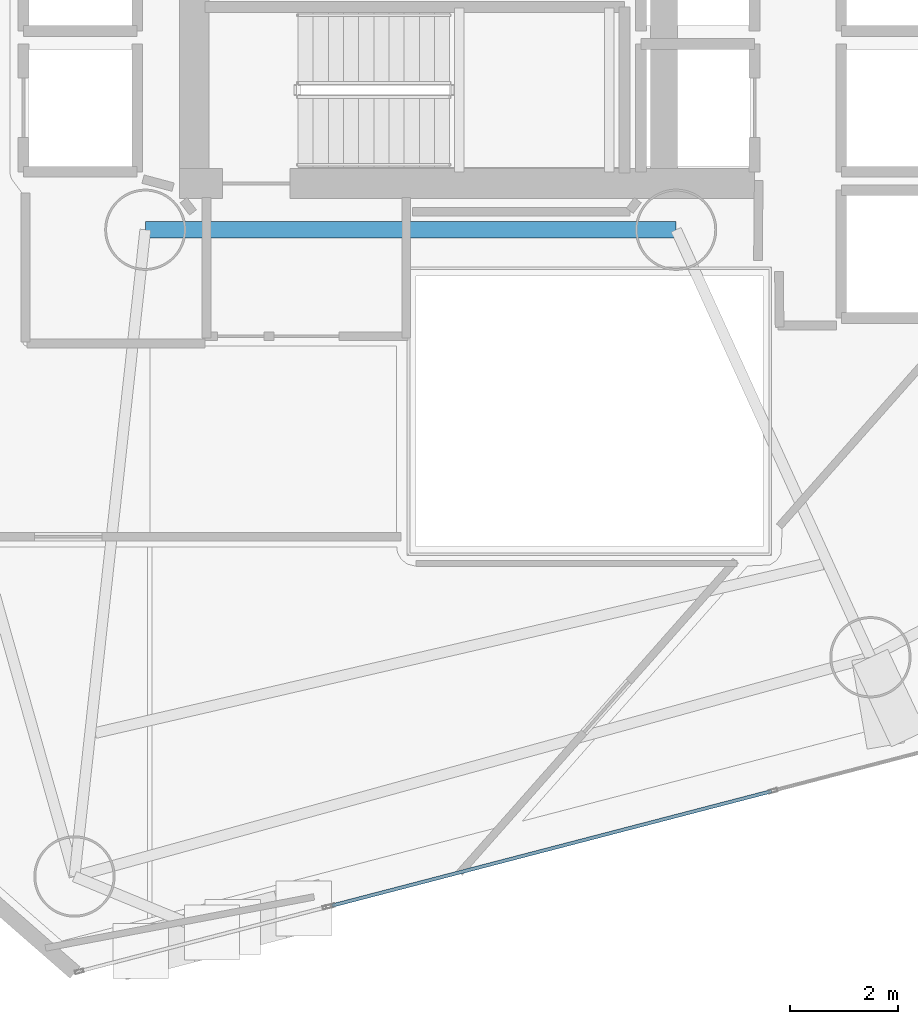
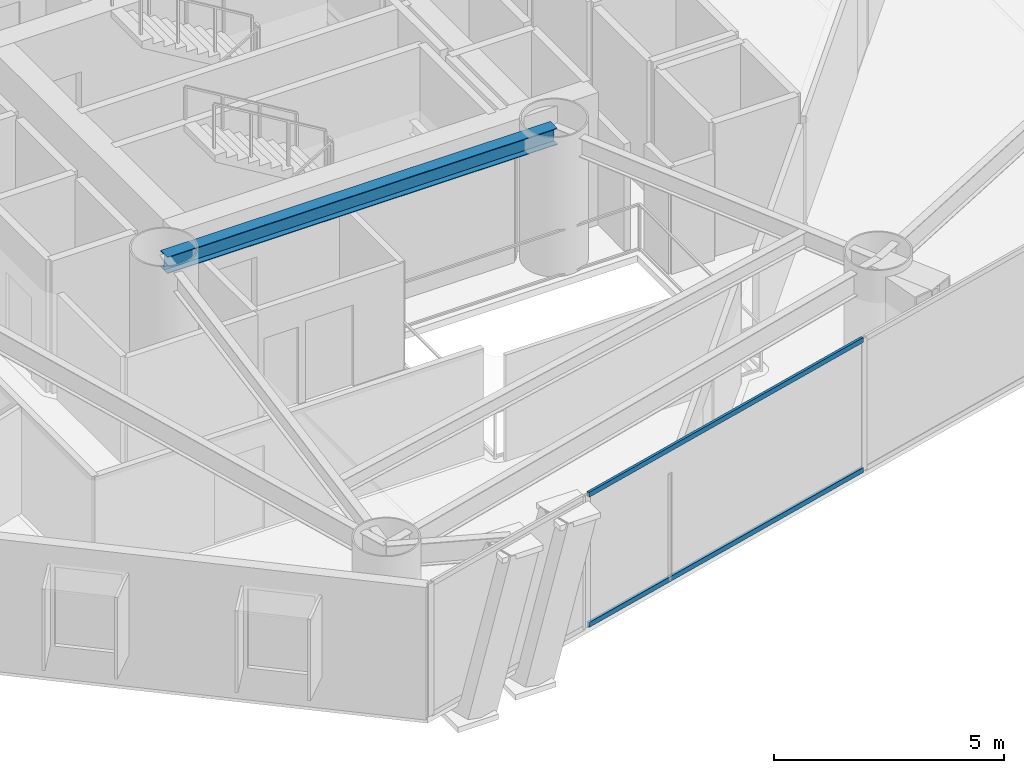
# One storey, part 5 of 21: 2 members, 1 beam, 1 element without a shape of its own.
"""IFC4 building model written with IfcOpenShell, lengths in metres."""

from ifc_helpers import new_model, si_unit, direction, frame, origin, origin_2d, place, context, subcontext, project, spatial, hollow_rectangle, i_section, extrude, material, layer, layer_set, material_profile, profile_set, type_object, element, aggregate, save


model = new_model("IFC4")

# Units and contexts
model_context = context("Model", 3, precision=1e-05, world=origin(), true_north=direction((0.0, 1.0)))
body_context = subcontext(model_context, "Body", "Model", "MODEL_VIEW")
ifc_project = project(units=[si_unit("LENGTHUNIT", "METRE"), si_unit("AREAUNIT", "SQUARE_METRE"), si_unit("VOLUMEUNIT", "CUBIC_METRE"), si_unit("PLANEANGLEUNIT", "RADIAN"), si_unit("MASSUNIT", "GRAM", prefix="KILO")], contexts=[model_context])

# Site, building, storey
site_placement = place(None, origin())
site = spatial("IfcSite", under=ifc_project, at=site_placement, CompositionType="ELEMENT")
building_placement = place(site_placement, origin())
building = spatial("IfcBuilding", under=site, at=building_placement, Name="Qianvela Tower", CompositionType="ELEMENT")
storey_placement = place(building_placement, frame((0.0, 0.0, 112.60009765625)))
storey = spatial("IfcBuildingStorey", under=building, at=storey_placement, Name="L28", CompositionType="ELEMENT", Elevation=112.60009765625)

# Beam
ifc_material_1 = material(Name="Steel Q355B", Category="steel")
ifc_material_profile_1 = material_profile(ifc_material_1, i_section(OverallWidth=0.300048828125, OverallDepth=0.43994140625, WebThickness=0.010986328125, FlangeThickness=0.01806640625, at=origin_2d()), Name="HM440x300x11x18")
ifc_profile_set_1 = profile_set([ifc_material_profile_1], Name="Steel Q355B")
beam_type = type_object("IfcBeamType", Name="BM-HM440-COLL", PredefinedType="BEAM", material=ifc_profile_set_1)
beam_placement = place(storey_placement, frame((28.60009765625, 23.85009765625, 3.2978515625), z_axis=(1.0, 0.0, 0.0), x_axis=(0.0, 1.0, 0.0)))
element("IfcBeam", 1, at=beam_placement, inside=storey, type_object=beam_type, Name="L28 Core Ring Collector Girder CC1", PredefinedType="BEAM", context=body_context, shape_type="SweptSolid", body=[
    extrude(i_section(OverallWidth=0.300048828125, OverallDepth=0.43994140625, WebThickness=0.010986328125, FlangeThickness=0.01806640625, at=origin_2d()), origin(), (0.0, 0.0, 1.0), 9.7998046875),
])

# Curtain wall, members
ifc_material_2 = material(Name="Anodised Architectural Aluminium and Low-E Glass", Category="aluminium")
ifc_layer = layer(ifc_material_2, 0.169921875)
ifc_layer_set = layer_set([ifc_layer], Name="Anodised Architectural Aluminium and Low-E Glass")
curtain_wall_type = type_object("IfcCurtainWallType", Name="CW-COLIV-Z34", PredefinedType="USERDEFINED", material=ifc_layer_set)
curtain_wall_placement = place(storey_placement, origin())
curtain_wall = element("IfcCurtainWall", 2, at=curtain_wall_placement, inside=storey, type_object=curtain_wall_type, Name="L28 CW-COLIV-Z34 Curtain Wall 06B", ObjectType="CURTAIN_WALL_SYSTEM", PredefinedType="USERDEFINED")
ifc_material_3 = material(Name="Anodised Architectural Aluminium 6063-T6", Category="aluminium")
ifc_material_profile_2 = material_profile(ifc_material_3, hollow_rectangle(XDim=0.06494140625, YDim=0.1298828125, WallThickness=0.00439453125, at=origin_2d()), Name="ALU-TRAN-65x130")
ifc_profile_set_2 = profile_set([ifc_material_profile_2], Name="Anodised Architectural Aluminium 6063-T6")
member_type = type_object("IfcMemberType", Name="CW-COLIV-Z34-TRAN", PredefinedType="USERDEFINED", material=ifc_profile_set_2)
member_1_placement = place(storey_placement, frame((32.0478515625, 11.37109375, 0.032470703125), z_axis=(0.967739620153, 0.251952431198, 0.0), x_axis=(-0.251952431198, 0.967739620153, 0.0)))
member_1 = element("IfcMember", 3, at=member_1_placement, type_object=member_type, Name="CW-4 transom 1.1", ObjectType="TRANSOM", PredefinedType="USERDEFINED", context=body_context, shape_type="SweptSolid", body=[
    extrude(hollow_rectangle(XDim=0.06494140625, YDim=0.1298828125, WallThickness=0.00439453125, at=origin_2d()), origin(), (0.0, 0.0, 1.0), 8.3837890625),
])
member_2_placement = place(storey_placement, frame((32.0478515625, 11.37109375, 3.4873046875), z_axis=(0.967739620153, 0.251952431198, 0.0), x_axis=(-0.251952431198, 0.967739620153, 0.0)))
member_2 = element("IfcMember", 4, at=member_2_placement, type_object=member_type, Name="CW-4 transom 1.2", ObjectType="TRANSOM", PredefinedType="USERDEFINED", context=body_context, shape_type="SweptSolid", body=[
    extrude(hollow_rectangle(XDim=0.06494140625, YDim=0.1298828125, WallThickness=0.00439453125, at=origin_2d()), origin(), (0.0, 0.0, 1.0), 8.3837890625),
])
aggregate(curtain_wall, [member_1, member_2])

save(model, "model.ifc")
